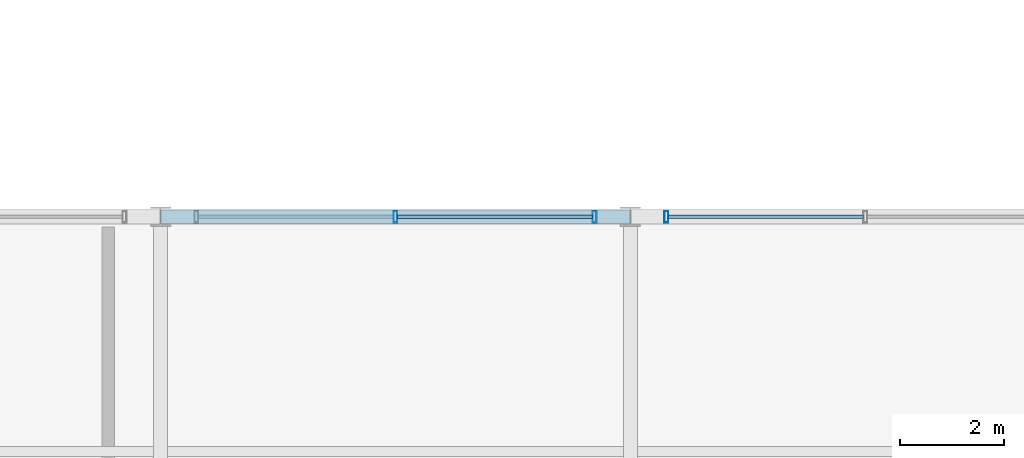
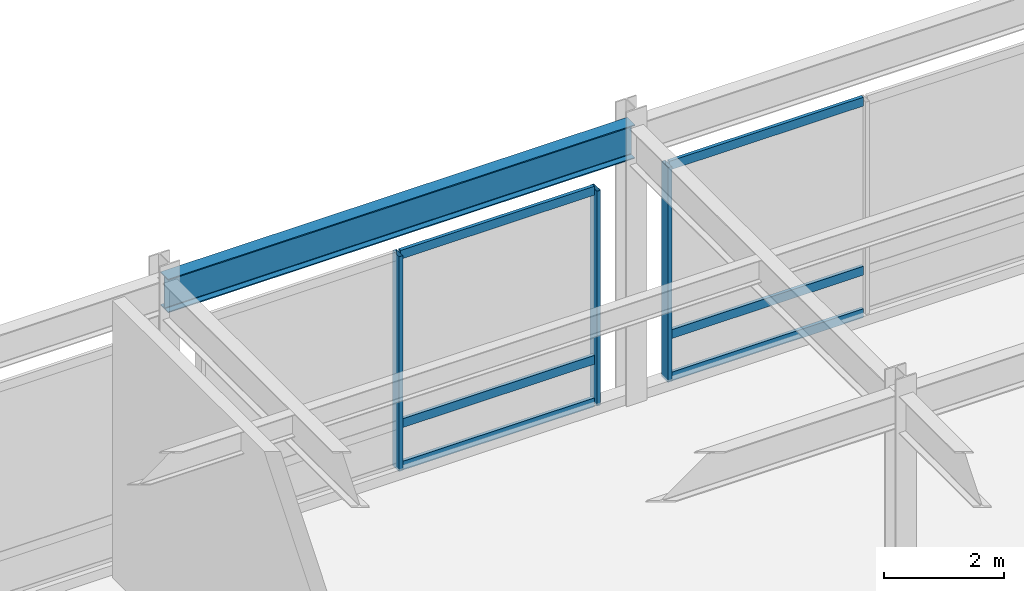
# One storey, part 61 of 108: 9 members, 1 beam, 2 elements without a shape of their own.
"""IFC4 building model written with IfcOpenShell, lengths in metres."""

from ifc_helpers import new_model, si_unit, direction, frame, origin, origin_2d, place, context, subcontext, project, spatial, hollow_rectangle, i_section, extrude, material, material_profile, profile_set, type_object, element, aggregate, save


model = new_model("IFC4")

# Units and contexts
model_context = context("Model", 3, precision=1e-05, world=origin(), true_north=direction((0.0, 1.0)))
body_context = subcontext(model_context, "Body", "Model", "MODEL_VIEW")
ifc_project = project(units=[si_unit("LENGTHUNIT", "METRE"), si_unit("AREAUNIT", "SQUARE_METRE"), si_unit("VOLUMEUNIT", "CUBIC_METRE"), si_unit("PLANEANGLEUNIT", "RADIAN"), si_unit("MASSUNIT", "GRAM", prefix="KILO")], contexts=[model_context])

# Site, building, storey
site_placement = place(None, origin())
site = spatial("IfcSite", under=ifc_project, at=site_placement, CompositionType="ELEMENT")
building_placement = place(site_placement, origin())
building = spatial("IfcBuilding", under=site, at=building_placement, Name="Kaldorvane Square Convention Centre", CompositionType="ELEMENT")
storey_placement = place(building_placement, frame((0.0, 0.0, 12.0)))
storey = spatial("IfcBuildingStorey", under=building, at=storey_placement, Name="L02", CompositionType="ELEMENT", Elevation=12.0)

# Beam
ifc_material_1 = material(Name="Steel ASTM A992 Gr. 50", Category="steel")
ifc_material_profile_1 = material_profile(ifc_material_1, i_section(OverallWidth=0.25439453125, OverallDepth=0.6880950927734375, WebThickness=0.0131072998046875, FlangeThickness=0.0211029052734375, FilletRadius=0.01519775390625, at=origin_2d()), Name="W27X102")
ifc_profile_set_1 = profile_set([ifc_material_profile_1], Name="Steel ASTM A992 Gr. 50")
beam_type = type_object("IfcBeamType", Name="BM-GR-W27X102", PredefinedType="BEAM", material=ifc_profile_set_1)
beam_placement = place(storey_placement, frame((147.0, 36.0, 5.3018951416015625), z_axis=(1.0, 0.0, 0.0), x_axis=(0.0, 1.0, 0.0)))
element("IfcBeam", 1, at=beam_placement, inside=storey, type_object=beam_type, Name="Primary Girder (L02)", PredefinedType="BEAM", context=body_context, shape_type="SweptSolid", body=[
    extrude(i_section(OverallWidth=0.25439453125, OverallDepth=0.6880950927734375, WebThickness=0.0131072998046875, FlangeThickness=0.0211029052734375, FilletRadius=0.01519775390625, at=origin_2d()), origin(), (0.0, 0.0, 1.0), 9.0),
])

# Curtain wall, members
ifc_material_2 = material(Name="Anodized Aluminum and Low-E Insulated Glazing", Category="aluminium")
curtain_wall_type = type_object("IfcCurtainWallType", Name="CW-PTS-FC-60", PredefinedType="USERDEFINED", material=ifc_material_2)
curtain_wall_1_placement = place(storey_placement, origin())
curtain_wall_1 = element("IfcCurtainWall", 2, at=curtain_wall_1_placement, inside=storey, type_object=curtain_wall_type, Name="Curtain Wall CW-07 (L02)", ObjectType="POINT SUPPORTED GLAZING", PredefinedType="USERDEFINED")
ifc_material_profile_2 = material_profile(ifc_material_2, hollow_rectangle(XDim=0.0749969482421875, YDim=0.220001220703125, WallThickness=0.003997802734375, at=origin_2d()), Name="CWM-220X75")
ifc_profile_set_2 = profile_set([ifc_material_profile_2], Name="Anodized Aluminum and Low-E Insulated Glazing")
member_type_1 = type_object("IfcMemberType", Name="CW-MUL-220", PredefinedType="MULLION", material=ifc_profile_set_2)
member_1_placement = place(storey_placement, frame((155.3125, 36.0, 0.149993896484375), z_axis=(0.0, 0.0, 1.0), x_axis=(-1.0, 0.0, 0.0)))
member_1 = element("IfcMember", 3, at=member_1_placement, type_object=member_type_1, Name="CW-07 mullion 1", PredefinedType="MULLION", context=body_context, shape_type="SweptSolid", body=[
    extrude(hollow_rectangle(XDim=0.0749969482421875, YDim=0.220001220703125, WallThickness=0.003997802734375, at=origin_2d()), origin(), (0.0, 0.0, 1.0), 4.3800048828125),
])
member_2_placement = place(storey_placement, frame((151.5, 36.0, 0.149993896484375), z_axis=(0.0, 0.0, 1.0), x_axis=(-1.0, 0.0, 0.0)))
member_2 = element("IfcMember", 4, at=member_2_placement, type_object=member_type_1, Name="CW-07 mullion 2", PredefinedType="MULLION", context=body_context, shape_type="SweptSolid", body=[
    extrude(hollow_rectangle(XDim=0.0749969482421875, YDim=0.220001220703125, WallThickness=0.003997802734375, at=origin_2d()), origin(), (0.0, 0.0, 1.0), 4.3800048828125),
])

# Curtain wall, member
curtain_wall_2_placement = place(storey_placement, origin())
curtain_wall_2 = element("IfcCurtainWall", 5, at=curtain_wall_2_placement, inside=storey, type_object=curtain_wall_type, Name="Curtain Wall CW-07 (L02)", ObjectType="POINT SUPPORTED GLAZING", PredefinedType="USERDEFINED")
member_3_placement = place(storey_placement, frame((156.6875, 36.0, 0.149993896484375), z_axis=(0.0, 0.0, 1.0), x_axis=(-1.0, 0.0, 0.0)))
member_3 = element("IfcMember", 6, at=member_3_placement, type_object=member_type_1, Name="CW-07 mullion 3", PredefinedType="MULLION", context=body_context, shape_type="SweptSolid", body=[
    extrude(hollow_rectangle(XDim=0.0749969482421875, YDim=0.220001220703125, WallThickness=0.003997802734375, at=origin_2d()), origin(), (0.0, 0.0, 1.0), 4.3800048828125),
])

# Member
ifc_material_profile_3 = material_profile(ifc_material_2, hollow_rectangle(XDim=0.06500244140625, YDim=0.17999267578125, WallThickness=0.0034942626953125, at=origin_2d()), Name="CWT-180X65")
ifc_profile_set_3 = profile_set([ifc_material_profile_3], Name="Anodized Aluminum and Low-E Insulated Glazing")
member_type_2 = type_object("IfcMemberType", Name="CW-TRN-180", PredefinedType="USERDEFINED", material=ifc_profile_set_3)
member_4_placement = place(storey_placement, frame((155.27499389648438, 36.0, 0.1824951171875), z_axis=(-1.0, 0.0, 0.0), x_axis=(0.0, -1.0, 0.0)))
member_4 = element("IfcMember", 7, at=member_4_placement, type_object=member_type_2, Name="CW-07 transom 1.1", ObjectType="TRANSOM", PredefinedType="USERDEFINED", context=body_context, shape_type="SweptSolid", body=[
    extrude(hollow_rectangle(XDim=0.06500244140625, YDim=0.17999267578125, WallThickness=0.0034942626953125, at=origin_2d()), origin(), (0.0, 0.0, 1.0), 3.73748779296875),
])

member_5_placement = place(storey_placement, frame((155.27499389648438, 36.0, 1.0500030517578125), z_axis=(-1.0, 0.0, 0.0), x_axis=(0.0, -1.0, 0.0)))
member_5 = element("IfcMember", 8, at=member_5_placement, type_object=member_type_2, Name="CW-07 transom 1.2", ObjectType="TRANSOM", PredefinedType="USERDEFINED", context=body_context, shape_type="SweptSolid", body=[
    extrude(hollow_rectangle(XDim=0.06500244140625, YDim=0.17999267578125, WallThickness=0.0034942626953125, at=origin_2d()), origin(), (0.0, 0.0, 1.0), 3.73748779296875),
])

member_6_placement = place(storey_placement, frame((155.27499389648438, 36.0, 4.49749755859375), z_axis=(-1.0, 0.0, 0.0), x_axis=(0.0, -1.0, 0.0)))
member_6 = element("IfcMember", 9, at=member_6_placement, type_object=member_type_2, Name="CW-07 transom 1.3", ObjectType="TRANSOM", PredefinedType="USERDEFINED", context=body_context, shape_type="SweptSolid", body=[
    extrude(hollow_rectangle(XDim=0.06500244140625, YDim=0.17999267578125, WallThickness=0.0034942626953125, at=origin_2d()), origin(), (0.0, 0.0, 1.0), 3.73748779296875),
])

aggregate(curtain_wall_1, [member_1, member_2, member_4, member_5, member_6])

member_7_placement = place(storey_placement, frame((160.46249389648438, 36.0, 0.1824951171875), z_axis=(-1.0, 0.0, 0.0), x_axis=(0.0, -1.0, 0.0)))
member_7 = element("IfcMember", 10, at=member_7_placement, type_object=member_type_2, Name="CW-07 transom 2.1", ObjectType="TRANSOM", PredefinedType="USERDEFINED", context=body_context, shape_type="SweptSolid", body=[
    extrude(hollow_rectangle(XDim=0.06500244140625, YDim=0.17999267578125, WallThickness=0.0034942626953125, at=origin_2d()), origin(), (0.0, 0.0, 1.0), 3.73748779296875),
])

member_8_placement = place(storey_placement, frame((160.46249389648438, 36.0, 1.0500030517578125), z_axis=(-1.0, 0.0, 0.0), x_axis=(0.0, -1.0, 0.0)))
member_8 = element("IfcMember", 11, at=member_8_placement, type_object=member_type_2, Name="CW-07 transom 2.2", ObjectType="TRANSOM", PredefinedType="USERDEFINED", context=body_context, shape_type="SweptSolid", body=[
    extrude(hollow_rectangle(XDim=0.06500244140625, YDim=0.17999267578125, WallThickness=0.0034942626953125, at=origin_2d()), origin(), (0.0, 0.0, 1.0), 3.73748779296875),
])

member_9_placement = place(storey_placement, frame((160.46249389648438, 36.0, 4.49749755859375), z_axis=(-1.0, 0.0, 0.0), x_axis=(0.0, -1.0, 0.0)))
member_9 = element("IfcMember", 12, at=member_9_placement, type_object=member_type_2, Name="CW-07 transom 2.3", ObjectType="TRANSOM", PredefinedType="USERDEFINED", context=body_context, shape_type="SweptSolid", body=[
    extrude(hollow_rectangle(XDim=0.06500244140625, YDim=0.17999267578125, WallThickness=0.0034942626953125, at=origin_2d()), origin(), (0.0, 0.0, 1.0), 3.73748779296875),
])

aggregate(curtain_wall_2, [member_3, member_7, member_8, member_9])

save(model, "model.ifc")
